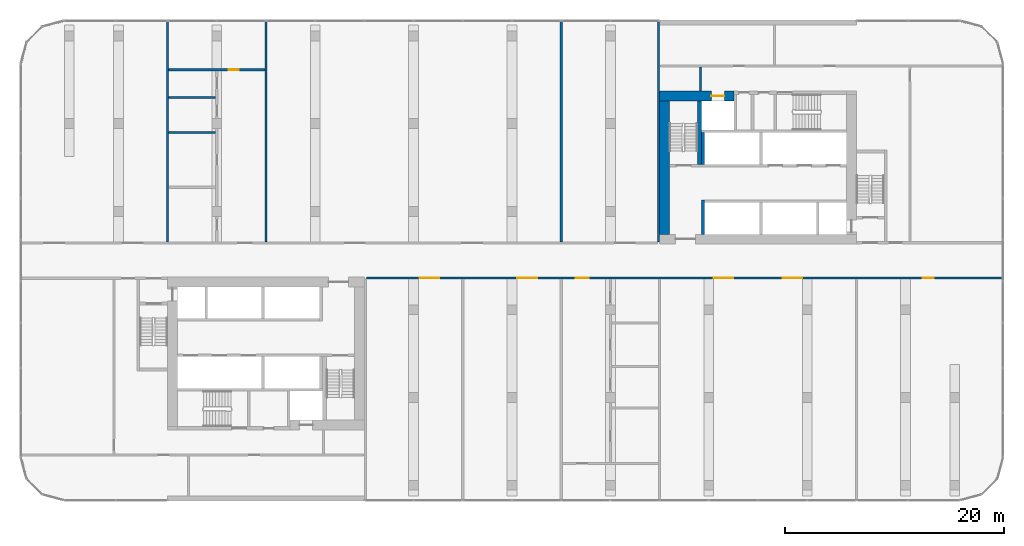
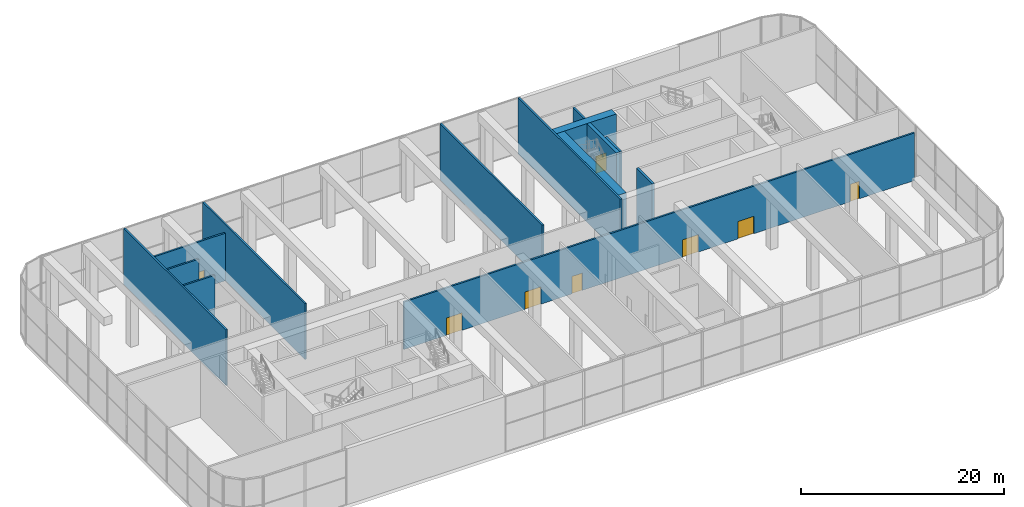
# One storey, part 14 of 23: 14 walls, 8 doors, 8 openings.
"""IFC4 building model written with IfcOpenShell, lengths in metres."""

from ifc_helpers import new_model, si_unit, direction, frame, frame_2d, origin, place, context, subcontext, project, spatial, rectangle, extrude, material, layer, layer_set, type_object, element, fill, save


model = new_model("IFC4")

# Units and contexts
model_context = context("Model", 3, precision=1e-05, world=origin(), true_north=direction((0.0, 1.0)))
body_context = subcontext(model_context, "Body", "Model", "MODEL_VIEW")
ifc_project = project(units=[si_unit("LENGTHUNIT", "METRE"), si_unit("AREAUNIT", "SQUARE_METRE"), si_unit("VOLUMEUNIT", "CUBIC_METRE"), si_unit("PLANEANGLEUNIT", "RADIAN"), si_unit("MASSUNIT", "GRAM", prefix="KILO")], contexts=[model_context])

# Site, building, storey
site_placement = place(None, origin())
site = spatial("IfcSite", under=ifc_project, at=site_placement, CompositionType="ELEMENT")
building_placement = place(site_placement, origin())
building = spatial("IfcBuilding", under=site, at=building_placement, Name="Kajstack Hotel Tower", CompositionType="ELEMENT")
storey_placement = place(building_placement, frame((0.0, 0.0, 53.0)))
storey = spatial("IfcBuildingStorey", under=building, at=storey_placement, Name="L08", CompositionType="ELEMENT", Elevation=53.0)

# Wall, opening, door
ifc_material_1 = material(Name="Concrete C60/75", Category="concrete")
ifc_layer_1 = layer(ifc_material_1, 0.89990234375)
ifc_layer_set_1 = layer_set([ifc_layer_1], Name="Core wall 900")
wall_type_1 = type_object("IfcWallType", Name="Core wall 900", PredefinedType="SHEAR", material=ifc_layer_set_1)
wall_1_placement = place(storey_placement, frame((13.5, 15.050048828125, 0.0), z_axis=(0.0, 0.0, 1.0), x_axis=(1.0, 0.0, 0.0)))
wall_1 = element("IfcWall", 1, at=wall_1_placement, inside=storey, type_object=wall_type_1, Name="Core wall E RS", PredefinedType="SHEAR", context=body_context, shape_type="SweptSolid", body=[
    extrude(rectangle(XDim=6.800048828125, YDim=0.89990234375, at=frame_2d((3.39990234375, 0.0))), origin(), (0.0, 0.0, 1.0), 6.719970703125),
])
opening_1_placement = place(wall_1_placement, frame((4.72509765625, 0.0, 0.0)))
opening_1 = element("IfcOpeningElement", 2, at=opening_1_placement, cuts=wall_1, Name="Opening LD-SV2", PredefinedType="OPENING", context=body_context, shape_type="SweptSolid", body=[
    extrude(rectangle(XDim=1.199951171875, YDim=2.10009765625, at=frame_2d((0.60009765625, 1.050048828125))), frame((0.0, 0.4599609375, 0.0), z_axis=(0.0, -1.0, 0.0), x_axis=(1.0, 0.0, 0.0)), (0.0, 0.0, 1.0), 0.919921875),
])
ifc_material_2 = material(Name="Stainless steel", Category="steel")
door_type_1 = type_object("IfcDoorType", Name="Lift landing door 1200", OperationType="SLIDING_TO_LEFT", PredefinedType="DOOR", material=ifc_material_2)
door_1_placement = place(opening_1_placement, origin())
door_1 = element("IfcDoor", 3, at=door_1_placement, inside=storey, type_object=door_type_1, Name="Landing door SV2", OperationType="SLIDING_TO_LEFT", OverallHeight=2.10009765625, OverallWidth=1.199951171875, PredefinedType="DOOR", context=body_context, shape_type="SweptSolid", body=[
    extrude(rectangle(XDim=1.199951171875, YDim=2.10009765625, at=frame_2d((0.60009765625, 1.050048828125))), frame((0.0, 0.02490234375, 0.0), z_axis=(0.0, -1.0, 0.0), x_axis=(1.0, 0.0, 0.0)), (0.0, 0.0, 1.0), 0.050048828125),
])
fill(opening_1, door_1)

# Walls
wall_2_placement = place(storey_placement, frame((13.949951171875, 2.39990234375, 0.0), z_axis=(0.0, 0.0, 1.0), x_axis=(0.0, 1.0, 0.0)))
element("IfcWall", 4, at=wall_2_placement, inside=storey, type_object=wall_type_1, Name="Core wall E RE", PredefinedType="SHEAR", context=body_context, shape_type="SweptSolid", body=[
    extrude(rectangle(XDim=12.2001953125, YDim=0.89990234375, at=frame_2d((6.10009765625, 0.0))), origin(), (0.0, 0.0, 1.0), 6.719970703125),
])
ifc_material_3 = material(Name="Gypsum board on steel studs, mineral wool", Category="steel")
ifc_layer_2 = layer(ifc_material_3, 0.199951171875)
ifc_layer_set_2 = layer_set([ifc_layer_2], Name="Public partition 200")
wall_type_2 = type_object("IfcWallType", Name="Public partition 200", PredefinedType="PARTITIONING", material=ifc_layer_set_2)
for number, where, z_axis, x_axis, name in (
    (5, (4.5, 1.699951171875, 0.0), (0.0, 0.0, 1.0), (0.0, 1.0, 0.0), "Partition PX0"),
    (6, (-22.5, 1.699951171875, 0.0), (0.0, 0.0, 1.0), (0.0, 1.0, 0.0), "Partition PX1"),
):
    element("IfcWall", number, at=place(storey_placement, frame(where, z_axis=z_axis, x_axis=x_axis)), inside=storey, type_object=wall_type_2, Name=name, PredefinedType="PARTITIONING", context=body_context, shape_type="SweptSolid", body=[
        extrude(rectangle(XDim=20.150146484375, YDim=0.199951171875, at=frame_2d((10.0751953125, 0.0))), origin(), (0.0, 0.0, 1.0), 6.719970703125),
    ])
for number, where, z_axis, x_axis, name in (
    (7, (-31.39990234375, 11.699951171875, 0.0), (0.0, 0.0, 1.0), (1.0, 0.0, 0.0), "Partition C2wP1"),
    (8, (-31.39990234375, 14.89990234375, 0.0), (0.0, 0.0, 1.0), (1.0, 0.0, 0.0), "Partition C2wP2"),
):
    element("IfcWall", number, at=place(storey_placement, frame(where, z_axis=z_axis, x_axis=x_axis)), inside=storey, type_object=wall_type_2, Name=name, PredefinedType="PARTITIONING", context=body_context, shape_type="SweptSolid", body=[
        extrude(rectangle(XDim=4.2998046875, YDim=0.199951171875, at=frame_2d((2.14990234375, 0.0))), origin(), (0.0, 0.0, 1.0), 5.719970703125),
    ])

# Wall, opening, door
wall_3_placement = place(storey_placement, frame((-31.39990234375, 17.449951171875, 0.0), z_axis=(0.0, 0.0, 1.0), x_axis=(1.0, 0.0, 0.0)))
wall_3 = element("IfcWall", 9, at=wall_3_placement, inside=storey, type_object=wall_type_2, Name="Partition C2BW", PredefinedType="PARTITIONING", context=body_context, shape_type="SweptSolid", body=[
    extrude(rectangle(XDim=8.7998046875, YDim=0.199951171875, at=frame_2d((4.39990234375, 0.0))), origin(), (0.0, 0.0, 1.0), 5.719970703125),
])
opening_2_placement = place(wall_3_placement, frame((5.5, 0.0, 0.0)))
opening_2 = element("IfcOpeningElement", 10, at=opening_2_placement, cuts=wall_3, Name="Opening 08P09", PredefinedType="OPENING", context=body_context, shape_type="SweptSolid", body=[
    extrude(rectangle(XDim=0.89990234375, YDim=2.10009765625, at=frame_2d((0.449951171875, 1.050048828125))), frame((0.0, 0.10986328125, 0.0), z_axis=(0.0, -1.0, 0.0), x_axis=(1.0, 0.0, 0.0)), (0.0, 0.0, 1.0), 0.219970703125),
])
ifc_material_4 = material(Name="Timber leaf", Category="wood")
door_type_2 = type_object("IfcDoorType", Name="Public room door 900", OperationType="SINGLE_SWING_LEFT", PredefinedType="DOOR", material=ifc_material_4)
door_2_placement = place(opening_2_placement, origin())
door_2 = element("IfcDoor", 11, at=door_2_placement, inside=storey, type_object=door_type_2, Name="Door 08P09", OperationType="SINGLE_SWING_LEFT", OverallHeight=2.10009765625, OverallWidth=0.89990234375, PredefinedType="DOOR", context=body_context, shape_type="SweptSolid", body=[
    extrude(rectangle(XDim=0.89990234375, YDim=2.10009765625, at=frame_2d((0.449951171875, 1.050048828125))), frame((0.0, 0.02490234375, 0.0), z_axis=(0.0, -1.0, 0.0), x_axis=(1.0, 0.0, 0.0)), (0.0, 0.0, 1.0), 0.050048828125),
])
fill(opening_2, door_2)

# Walls
for number, where, z_axis, x_axis, name in (
    (12, (-31.5, 1.699951171875, 0.0), (0.0, 0.0, 1.0), (0.0, 1.0, 0.0), "Partition PX2"),
    (13, (13.39990234375, 1.699951171875, 0.0), (0.0, 0.0, 1.0), (0.0, 1.0, 0.0), "Partition EW"),
):
    element("IfcWall", number, at=place(storey_placement, frame(where, z_axis=z_axis, x_axis=x_axis)), inside=storey, type_object=wall_type_2, Name=name, PredefinedType="PARTITIONING", context=body_context, shape_type="SweptSolid", body=[
        extrude(rectangle(XDim=20.150146484375, YDim=0.199951171875, at=frame_2d((10.0751953125, 0.0))), origin(), (0.0, 0.0, 1.0), 6.719970703125),
    ])

# Wall, openings, doors
wall_4_placement = place(storey_placement, frame((-13.300048828125, -1.60009765625, 0.0), z_axis=(0.0, 0.0, 1.0), x_axis=(1.0, 0.0, 0.0)))
wall_4 = element("IfcWall", 14, at=wall_4_placement, inside=storey, type_object=wall_type_2, Name="Partition SFW", PredefinedType="PARTITIONING", context=body_context, shape_type="SweptSolid", body=[
    extrude(rectangle(XDim=58.150146484375, YDim=0.199951171875, at=frame_2d((29.0751953125, 0.0))), origin(), (0.0, 0.0, 1.0), 5.719970703125),
])
opening_3_placement = place(wall_4_placement, frame((4.85009765625, 0.0, 0.0)))
opening_3 = element("IfcOpeningElement", 15, at=opening_3_placement, cuts=wall_4, Name="Opening 08P12", PredefinedType="OPENING", context=body_context, shape_type="SweptSolid", body=[
    extrude(rectangle(XDim=1.800048828125, YDim=2.10009765625, at=frame_2d((0.89990234375, 1.050048828125))), frame((0.0, 0.10986328125, 0.0), z_axis=(0.0, -1.0, 0.0), x_axis=(1.0, 0.0, 0.0)), (0.0, 0.0, 1.0), 0.219970703125),
])
opening_4_placement = place(wall_4_placement, frame((13.800048828125, 0.0, 0.0)))
opening_4 = element("IfcOpeningElement", 16, at=opening_4_placement, cuts=wall_4, Name="Opening 08P13", PredefinedType="OPENING", context=body_context, shape_type="SweptSolid", body=[
    extrude(rectangle(XDim=1.800048828125, YDim=2.10009765625, at=frame_2d((0.89990234375, 1.050048828125))), frame((0.0, 0.10986328125, 0.0), z_axis=(0.0, -1.0, 0.0), x_axis=(1.0, 0.0, 0.0)), (0.0, 0.0, 1.0), 0.219970703125),
])
opening_5_placement = place(wall_4_placement, frame((19.125, 0.0, 0.0)))
opening_5 = element("IfcOpeningElement", 17, at=opening_5_placement, cuts=wall_4, Name="Opening 08P14", PredefinedType="OPENING", context=body_context, shape_type="SweptSolid", body=[
    extrude(rectangle(XDim=1.199951171875, YDim=2.10009765625, at=frame_2d((0.60009765625, 1.050048828125))), frame((0.0, 0.10986328125, 0.0), z_axis=(0.0, -1.0, 0.0), x_axis=(1.0, 0.0, 0.0)), (0.0, 0.0, 1.0), 0.219970703125),
])
opening_6_placement = place(wall_4_placement, frame((31.739990234375, 0.0, 0.0)))
opening_6 = element("IfcOpeningElement", 18, at=opening_6_placement, cuts=wall_4, Name="Opening 08P20", PredefinedType="OPENING", context=body_context, shape_type="SweptSolid", body=[
    extrude(rectangle(XDim=1.800048828125, YDim=2.10009765625, at=frame_2d((0.89990234375, 1.050048828125))), frame((0.0, 0.10986328125, 0.0), z_axis=(0.0, -1.0, 0.0), x_axis=(1.0, 0.0, 0.0)), (0.0, 0.0, 1.0), 0.219970703125),
])
opening_7_placement = place(wall_4_placement, frame((38.06005859375, 0.0, 0.0)))
opening_7 = element("IfcOpeningElement", 19, at=opening_7_placement, cuts=wall_4, Name="Opening 08P21", PredefinedType="OPENING", context=body_context, shape_type="SweptSolid", body=[
    extrude(rectangle(XDim=1.800048828125, YDim=2.10009765625, at=frame_2d((0.89990234375, 1.050048828125))), frame((0.0, 0.10986328125, 0.0), z_axis=(0.0, -1.0, 0.0), x_axis=(1.0, 0.0, 0.0)), (0.0, 0.0, 1.0), 0.219970703125),
])
opening_8_placement = place(wall_4_placement, frame((50.875, 0.0, 0.0)))
opening_8 = element("IfcOpeningElement", 20, at=opening_8_placement, cuts=wall_4, Name="Opening 08P22", PredefinedType="OPENING", context=body_context, shape_type="SweptSolid", body=[
    extrude(rectangle(XDim=1.0, YDim=2.10009765625, at=frame_2d((0.5, 1.050048828125))), frame((0.0, 0.10986328125, 0.0), z_axis=(0.0, -1.0, 0.0), x_axis=(1.0, 0.0, 0.0)), (0.0, 0.0, 1.0), 0.219970703125),
])
ifc_material_5 = material(Name="Timber leaf, fire-rated", Category="wood")
door_type_3 = type_object("IfcDoorType", Name="Public corridor door 1200", OperationType="SINGLE_SWING_LEFT", PredefinedType="DOOR", material=ifc_material_5)
door_3_placement = place(opening_5_placement, origin())
door_3 = element("IfcDoor", 21, at=door_3_placement, inside=storey, type_object=door_type_3, Name="Door 08P14", OperationType="SINGLE_SWING_RIGHT", OverallHeight=2.10009765625, OverallWidth=1.199951171875, PredefinedType="DOOR", context=body_context, shape_type="SweptSolid", body=[
    extrude(rectangle(XDim=1.199951171875, YDim=2.10009765625, at=frame_2d((0.60009765625, 1.050048828125))), frame((0.0, 0.02490234375, 0.0), z_axis=(0.0, -1.0, 0.0), x_axis=(1.0, 0.0, 0.0)), (0.0, 0.0, 1.0), 0.050048828125),
])
fill(opening_5, door_3)
ifc_material_6 = material(Name="Glazed timber frame, fire-rated glass", Category="wood")
door_type_4 = type_object("IfcDoorType", Name="Public double door 1800", OperationType="DOUBLE_DOOR_DOUBLE_SWING", PredefinedType="DOOR", material=ifc_material_6)
door_4_placement = place(opening_3_placement, origin())
door_4 = element("IfcDoor", 22, at=door_4_placement, inside=storey, type_object=door_type_4, Name="Door 08P12", OperationType="DOUBLE_DOOR_DOUBLE_SWING", OverallHeight=2.10009765625, OverallWidth=1.800048828125, PredefinedType="DOOR", context=body_context, shape_type="SweptSolid", body=[
    extrude(rectangle(XDim=1.800048828125, YDim=2.10009765625, at=frame_2d((0.89990234375, 1.050048828125))), frame((0.0, 0.02490234375, 0.0), z_axis=(0.0, -1.0, 0.0), x_axis=(1.0, 0.0, 0.0)), (0.0, 0.0, 1.0), 0.050048828125),
])
fill(opening_3, door_4)
door_5_placement = place(opening_4_placement, origin())
door_5 = element("IfcDoor", 23, at=door_5_placement, inside=storey, type_object=door_type_4, Name="Door 08P13", OperationType="DOUBLE_DOOR_DOUBLE_SWING", OverallHeight=2.10009765625, OverallWidth=1.800048828125, PredefinedType="DOOR", context=body_context, shape_type="SweptSolid", body=[
    extrude(rectangle(XDim=1.800048828125, YDim=2.10009765625, at=frame_2d((0.89990234375, 1.050048828125))), frame((0.0, 0.02490234375, 0.0), z_axis=(0.0, -1.0, 0.0), x_axis=(1.0, 0.0, 0.0)), (0.0, 0.0, 1.0), 0.050048828125),
])
fill(opening_4, door_5)
door_6_placement = place(opening_6_placement, origin())
door_6 = element("IfcDoor", 24, at=door_6_placement, inside=storey, type_object=door_type_4, Name="Door 08P20", OperationType="DOUBLE_DOOR_DOUBLE_SWING", OverallHeight=2.10009765625, OverallWidth=1.800048828125, PredefinedType="DOOR", context=body_context, shape_type="SweptSolid", body=[
    extrude(rectangle(XDim=1.800048828125, YDim=2.10009765625, at=frame_2d((0.89990234375, 1.050048828125))), frame((0.0, 0.02490234375, 0.0), z_axis=(0.0, -1.0, 0.0), x_axis=(1.0, 0.0, 0.0)), (0.0, 0.0, 1.0), 0.050048828125),
])
fill(opening_6, door_6)
door_7_placement = place(opening_7_placement, origin())
door_7 = element("IfcDoor", 25, at=door_7_placement, inside=storey, type_object=door_type_4, Name="Door 08P21", OperationType="DOUBLE_DOOR_DOUBLE_SWING", OverallHeight=2.10009765625, OverallWidth=1.800048828125, PredefinedType="DOOR", context=body_context, shape_type="SweptSolid", body=[
    extrude(rectangle(XDim=1.800048828125, YDim=2.10009765625, at=frame_2d((0.89990234375, 1.050048828125))), frame((0.0, 0.02490234375, 0.0), z_axis=(0.0, -1.0, 0.0), x_axis=(1.0, 0.0, 0.0)), (0.0, 0.0, 1.0), 0.050048828125),
])
fill(opening_7, door_7)
door_type_5 = type_object("IfcDoorType", Name="Public room door 1000", OperationType="SINGLE_SWING_LEFT", PredefinedType="DOOR", material=ifc_material_4)
door_8_placement = place(opening_8_placement, origin())
door_8 = element("IfcDoor", 26, at=door_8_placement, inside=storey, type_object=door_type_5, Name="Door 08P22", OperationType="SINGLE_SWING_RIGHT", OverallHeight=2.10009765625, OverallWidth=1.0, PredefinedType="DOOR", context=body_context, shape_type="SweptSolid", body=[
    extrude(rectangle(XDim=1.0, YDim=2.10009765625, at=frame_2d((0.5, 1.050048828125))), frame((0.0, 0.02490234375, 0.0), z_axis=(0.0, -1.0, 0.0), x_axis=(1.0, 0.0, 0.0)), (0.0, 0.0, 1.0), 0.050048828125),
])
fill(opening_8, door_8)

# Walls
ifc_layer_3 = layer(ifc_material_3, 0.199951171875)
ifc_layer_set_3 = layer_set([ifc_layer_3], Name="Service partition 200")
wall_type_3 = type_object("IfcWallType", Name="Service partition 200", PredefinedType="PARTITIONING", material=ifc_layer_set_3)
wall_5_placement = place(storey_placement, frame((17.25, 15.5, 0.0), z_axis=(0.0, 0.0, 1.0), x_axis=(0.0, 1.0, 0.0)))
element("IfcWall", 27, at=wall_5_placement, inside=storey, type_object=wall_type_3, Name="Partition E SCE", PredefinedType="PARTITIONING", context=body_context, shape_type="SweptSolid", body=[
    extrude(rectangle(XDim=2.199951171875, YDim=0.199951171875, at=frame_2d((1.10009765625, 0.0))), origin(), (0.0, 0.0, 1.0), 6.719970703125),
])
ifc_material_7 = material(Name="Concrete C50/60", Category="concrete")
ifc_layer_4 = layer(ifc_material_7, 0.25)
ifc_layer_set_4 = layer_set([ifc_layer_4], Name="Shaft wall 250")
wall_type_4 = type_object("IfcWallType", Name="Shaft wall 250", PredefinedType="SHEAR", material=ifc_layer_set_4)
wall_6_placement = place(storey_placement, frame((17.47509765625, 2.39990234375, 0.0), z_axis=(0.0, 0.0, 1.0), x_axis=(0.0, 1.0, 0.0)))
element("IfcWall", 28, at=wall_6_placement, inside=storey, type_object=wall_type_4, Name="Core wall E AE", PredefinedType="SHEAR", context=body_context, shape_type="SweptSolid", body=[
    extrude(rectangle(XDim=3.150146484375, YDim=0.25, at=frame_2d((1.5751953125, 0.0))), origin(), (0.0, 0.0, 1.0), 6.719970703125),
])
wall_7_placement = place(storey_placement, frame((17.47509765625, 8.800048828125, 0.0), z_axis=(0.0, 0.0, 1.0), x_axis=(0.0, 1.0, 0.0)))
element("IfcWall", 29, at=wall_7_placement, inside=storey, type_object=wall_type_4, Name="Core wall E BE", PredefinedType="SHEAR", context=body_context, shape_type="SweptSolid", body=[
    extrude(rectangle(XDim=2.89990234375, YDim=0.25, at=frame_2d((1.449951171875, 0.0))), origin(), (0.0, 0.0, 1.0), 6.719970703125),
])
ifc_layer_5 = layer(ifc_material_7, 0.39990234375)
ifc_layer_set_5 = layer_set([ifc_layer_5], Name="Stair wall 400")
wall_type_5 = type_object("IfcWallType", Name="Stair wall 400", PredefinedType="SHEAR", material=ifc_layer_set_5)
wall_8_placement = place(storey_placement, frame((17.14990234375, 8.800048828125, 0.0), z_axis=(0.0, 0.0, 1.0), x_axis=(0.0, 1.0, 0.0)))
element("IfcWall", 30, at=wall_8_placement, inside=storey, type_object=wall_type_5, Name="Core wall E WW2", PredefinedType="SHEAR", context=body_context, shape_type="SweptSolid", body=[
    extrude(rectangle(XDim=5.800048828125, YDim=0.39990234375, at=frame_2d((2.89990234375, 0.0))), origin(), (0.0, 0.0, 1.0), 6.719970703125),
])

save(model, "model.ifc")
